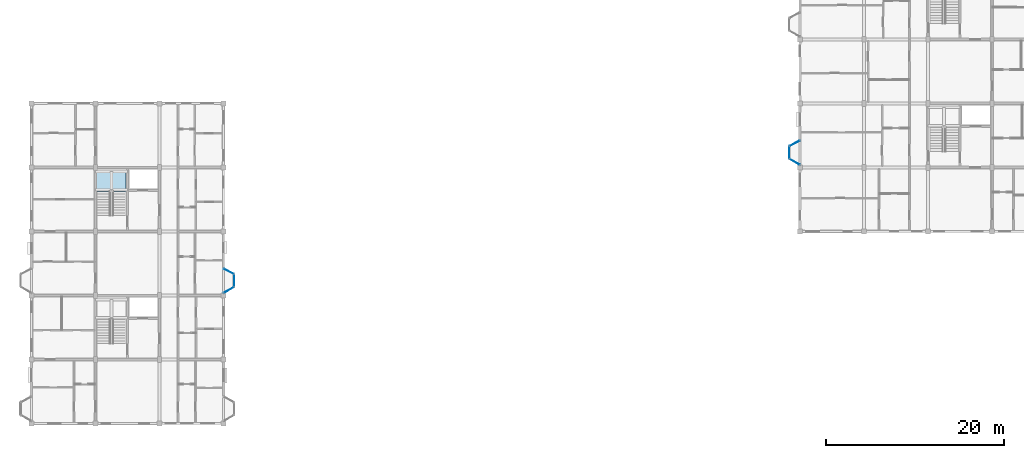
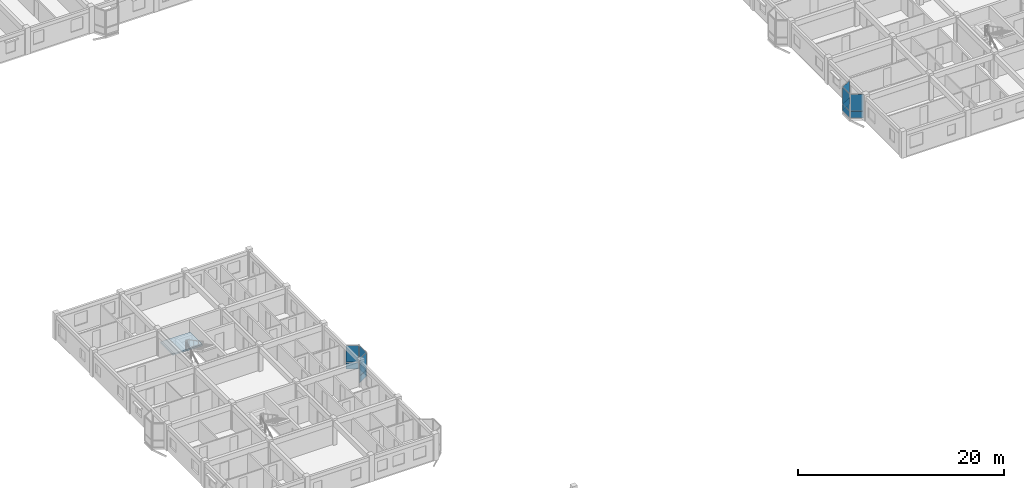
# One storey, part 47 of 77: 12 plates, 1 slab, 7 elements without a shape of their own.
"""IFC4 building model written with IfcOpenShell, lengths in metres."""

from ifc_helpers import new_model, si_unit, direction, frame, origin, origin_2d, place, context, subcontext, project, spatial, polyline, rectangle, outline, extrude, material, layer, layer_set, type_object, element, aggregate, save


model = new_model("IFC4")

# Units and contexts
model_context = context("Model", 3, precision=1e-05, world=origin(), true_north=direction((0.0, 1.0)))
body_context = subcontext(model_context, "Body", "Model", "MODEL_VIEW")
ifc_project = project(units=[si_unit("LENGTHUNIT", "METRE"), si_unit("AREAUNIT", "SQUARE_METRE"), si_unit("VOLUMEUNIT", "CUBIC_METRE"), si_unit("PLANEANGLEUNIT", "RADIAN"), si_unit("MASSUNIT", "GRAM", prefix="KILO"), si_unit("THERMODYNAMICTEMPERATUREUNIT", "KELVIN"), si_unit("POWERUNIT", "WATT")], contexts=[model_context])

# Site, building, storey
site_placement = place(None, origin())
site = spatial("IfcSite", under=ifc_project, at=site_placement, CompositionType="ELEMENT")
building_placement = place(site_placement, origin())
building = spatial("IfcBuilding", under=site, at=building_placement, Name="Tavuni Mirador Residences", CompositionType="ELEMENT")
storey_placement = place(building_placement, frame((0.0, 0.0, 10.800048828125)))
storey = spatial("IfcBuildingStorey", under=building, at=storey_placement, Name="L03", CompositionType="ELEMENT", Elevation=10.800048828125)

# Curtain wall, plate
ifc_material_1 = material(Name="Anodised aluminium", Category="aluminium")
ifc_layer_1 = layer(ifc_material_1, 0.1650390625, Name="Anodised aluminium", Category="aluminium")
ifc_layer_set_1 = layer_set([ifc_layer_1], Name="Anodised aluminium")
curtain_wall_type_1 = type_object("IfcCurtainWallType", Name="CWT-MIR-A", PredefinedType="NOTDEFINED", material=ifc_layer_set_1)
curtain_wall_1_placement = place(storey_placement, origin())
curtain_wall_1 = element("IfcCurtainWall", 1, at=curtain_wall_1_placement, inside=storey, type_object=curtain_wall_type_1, Name="CW-MIR-B-E2-L03-MF", PredefinedType="NOTDEFINED")
ifc_material_2 = material(Name="Laminated solar-control glass", Category="glass")
ifc_layer_2 = layer(ifc_material_2, 0.02392578125, Name="Laminated solar-control glass", Category="glass")
ifc_layer_set_2 = layer_set([ifc_layer_2], Name="Laminated solar-control glass")
plate_type_1 = type_object("IfcPlateType", Name="CWP-GL24", PredefinedType="CURTAIN_PANEL", material=ifc_layer_set_2)
plate_1_placement = place(storey_placement, frame((26.39990234375, 80.8701171875, 0.8798828125), z_axis=(0.0, 0.0, 1.0), x_axis=(0.0, 1.0, 0.0)))
plate_1 = element("IfcPlate", 2, at=plate_1_placement, type_object=plate_type_1, Name="CW-01 panel 1.2", PredefinedType="CURTAIN_PANEL", context=body_context, shape_type="SweptSolid", body=[
    extrude(rectangle(XDim=1.300048828125, YDim=0.02392578125, at=origin_2d()), origin(), (0.0, 0.0, 1.0), 1.969970703125),
])

curtain_wall_2_placement = place(storey_placement, origin())
curtain_wall_2 = element("IfcCurtainWall", 3, at=curtain_wall_2_placement, inside=storey, type_object=curtain_wall_type_1, Name="CW-MIR-D-W1-L03-MF", PredefinedType="NOTDEFINED")
plate_2_placement = place(storey_placement, frame((88.800048828125, 95.27001953125, 0.8798828125), z_axis=(0.0, 0.0, 1.0), x_axis=(0.0, -1.0, 0.0)))
plate_2 = element("IfcPlate", 4, at=plate_2_placement, type_object=plate_type_1, Name="CW-01 panel 1.2", PredefinedType="CURTAIN_PANEL", context=body_context, shape_type="SweptSolid", body=[
    extrude(rectangle(XDim=1.300048828125, YDim=0.02392578125, at=origin_2d()), origin(), (0.0, 0.0, 1.0), 1.949951171875),
])

ifc_layer_3 = layer(ifc_material_1, 0.14990234375, Name="Anodised aluminium", Category="aluminium")
ifc_layer_set_3 = layer_set([ifc_layer_3], Name="Anodised aluminium")
curtain_wall_type_2 = type_object("IfcCurtainWallType", Name="CWT-MIR-B", PredefinedType="NOTDEFINED", material=ifc_layer_set_3)
curtain_wall_3_placement = place(storey_placement, origin())
curtain_wall_3 = element("IfcCurtainWall", 5, at=curtain_wall_3_placement, inside=storey, type_object=curtain_wall_type_2, Name="CW-MIR-B-E2-L03-M2", PredefinedType="NOTDEFINED")
ifc_layer_4 = layer(ifc_material_2, 0.028076171875, Name="Laminated solar-control glass", Category="glass")
ifc_layer_set_4 = layer_set([ifc_layer_4], Name="Laminated solar-control glass")
plate_type_2 = type_object("IfcPlateType", Name="CWP-GL28", PredefinedType="CURTAIN_PANEL", material=ifc_layer_set_4)
plate_3_placement = place(storey_placement, frame((25.800048828125, 81.89990234375, 0.882568359375), z_axis=(0.0, 0.0, 1.0), x_axis=(-0.882352941175, 0.470588235296, 0.0)))
plate_3 = element("IfcPlate", 6, at=plate_3_placement, type_object=plate_type_2, Name="CW-02 panel 1.2", PredefinedType="CURTAIN_PANEL", context=body_context, shape_type="SweptSolid", body=[
    extrude(rectangle(XDim=1.22998046875, YDim=0.028076171875, at=origin_2d()), origin(), (0.0, 0.0, 1.0), 1.96240234375),
])

curtain_wall_4_placement = place(storey_placement, origin())
curtain_wall_4 = element("IfcCurtainWall", 7, at=curtain_wall_4_placement, inside=storey, type_object=curtain_wall_type_2, Name="CW-MIR-D-W1-L03-M2", PredefinedType="NOTDEFINED")
plate_4_placement = place(storey_placement, frame((89.39990234375, 94.217529296875, 0.882568359375), z_axis=(0.0, 0.0, 1.0), x_axis=(0.868465738194, -0.495749192217, 0.0)))
plate_4 = element("IfcPlate", 8, at=plate_4_placement, type_object=plate_type_2, Name="CW-02 panel 1.2", PredefinedType="CURTAIN_PANEL", context=body_context, shape_type="SweptSolid", body=[
    extrude(rectangle(XDim=1.251708984375, YDim=0.028076171875, at=origin_2d()), origin(), (0.0, 0.0, 1.0), 1.9423828125),
])

ifc_layer_5 = layer(ifc_material_1, 0.159912109375, Name="Anodised aluminium", Category="aluminium")
ifc_layer_set_5 = layer_set([ifc_layer_5], Name="Anodised aluminium")
curtain_wall_type_3 = type_object("IfcCurtainWallType", Name="CWT-MIR-D", PredefinedType="NOTDEFINED", material=ifc_layer_set_5)
curtain_wall_5_placement = place(storey_placement, origin())
curtain_wall_5 = element("IfcCurtainWall", 9, at=curtain_wall_5_placement, inside=storey, type_object=curtain_wall_type_3, Name="CW-MIR-B-E2-L03-M1", PredefinedType="NOTDEFINED")
ifc_layer_6 = layer(ifc_material_2, 0.035888671875, Name="Laminated solar-control glass", Category="glass")
ifc_layer_set_6 = layer_set([ifc_layer_6], Name="Laminated solar-control glass")
plate_type_3 = type_object("IfcPlateType", Name="CWP-GL36", PredefinedType="CURTAIN_PANEL", material=ifc_layer_set_6)
plate_5_placement = place(storey_placement, frame((25.800048828125, 79.8173828125, 0.882568359375), z_axis=(0.0, 0.0, 1.0), x_axis=(0.868465738194, 0.495749192217, 0.0)))
plate_5 = element("IfcPlate", 10, at=plate_5_placement, type_object=plate_type_3, Name="CW-04 panel 1.2", PredefinedType="CURTAIN_PANEL", context=body_context, shape_type="SweptSolid", body=[
    extrude(rectangle(XDim=1.251708984375, YDim=0.035888671875, at=origin_2d()), origin(), (0.0, 0.0, 1.0), 1.96240234375),
])

curtain_wall_6_placement = place(storey_placement, origin())
curtain_wall_6 = element("IfcCurtainWall", 11, at=curtain_wall_6_placement, inside=storey, type_object=curtain_wall_type_3, Name="CW-MIR-D-W1-L03-M1", PredefinedType="NOTDEFINED")
plate_6_placement = place(storey_placement, frame((89.39990234375, 96.300048828125, 0.882568359375), z_axis=(0.0, 0.0, 1.0), x_axis=(-0.882352941175, -0.470588235296, 0.0)))
plate_6 = element("IfcPlate", 12, at=plate_6_placement, type_object=plate_type_3, Name="CW-04 panel 1.2", PredefinedType="CURTAIN_PANEL", context=body_context, shape_type="SweptSolid", body=[
    extrude(rectangle(XDim=1.22998046875, YDim=0.035888671875, at=origin_2d()), origin(), (0.0, 0.0, 1.0), 1.9423828125),
])

# Plate
ifc_material_3 = material(Name="Ceramic trencadis mosaic panel", Category="masonry")
ifc_layer_7 = layer(ifc_material_3, 0.0419921875, Name="Ceramic trencadis mosaic panel", Category="masonry")
ifc_layer_set_7 = layer_set([ifc_layer_7], Name="Ceramic trencadis mosaic panel")
plate_type_4 = type_object("IfcPlateType", Name="CWP-SP42", PredefinedType="CURTAIN_PANEL", material=ifc_layer_set_7)
plate_7_placement = place(storey_placement, frame((26.39990234375, 80.8701171875, 0.06005859375), z_axis=(0.0, 0.0, 1.0), x_axis=(0.0, 1.0, 0.0)))
plate_7 = element("IfcPlate", 13, at=plate_7_placement, type_object=plate_type_4, Name="CW-01 panel 1.1", PredefinedType="CURTAIN_PANEL", context=body_context, shape_type="SweptSolid", body=[
    extrude(rectangle(XDim=1.300048828125, YDim=0.0419921875, at=origin_2d()), origin(), (0.0, 0.0, 1.0), 0.760009765625),
])

aggregate(curtain_wall_1, [plate_7, plate_1])

plate_8_placement = place(storey_placement, frame((88.800048828125, 95.27001953125, 0.06005859375), z_axis=(0.0, 0.0, 1.0), x_axis=(0.0, -1.0, 0.0)))
plate_8 = element("IfcPlate", 14, at=plate_8_placement, type_object=plate_type_4, Name="CW-01 panel 1.1", PredefinedType="CURTAIN_PANEL", context=body_context, shape_type="SweptSolid", body=[
    extrude(rectangle(XDim=1.300048828125, YDim=0.0419921875, at=origin_2d()), origin(), (0.0, 0.0, 1.0), 0.760009765625),
])

aggregate(curtain_wall_2, [plate_8, plate_2])

ifc_layer_8 = layer(ifc_material_3, 0.048095703125, Name="Ceramic trencadis mosaic panel", Category="masonry")
ifc_layer_set_8 = layer_set([ifc_layer_8], Name="Ceramic trencadis mosaic panel")
plate_type_5 = type_object("IfcPlateType", Name="CWP-SP48", PredefinedType="CURTAIN_PANEL", material=ifc_layer_set_8)
plate_9_placement = place(storey_placement, frame((25.800048828125, 79.8173828125, 0.06494140625), z_axis=(0.0, 0.0, 1.0), x_axis=(0.868465738194, 0.495749192217, 0.0)))
plate_9 = element("IfcPlate", 15, at=plate_9_placement, type_object=plate_type_5, Name="CW-04 panel 1.1", PredefinedType="CURTAIN_PANEL", context=body_context, shape_type="SweptSolid", body=[
    extrude(rectangle(XDim=1.251708984375, YDim=0.048095703125, at=origin_2d()), origin(), (0.0, 0.0, 1.0), 0.75244140625),
])

aggregate(curtain_wall_5, [plate_9, plate_5])

plate_10_placement = place(storey_placement, frame((25.800048828125, 81.89990234375, 0.06494140625), z_axis=(0.0, 0.0, 1.0), x_axis=(-0.882352941175, 0.470588235296, 0.0)))
plate_10 = element("IfcPlate", 16, at=plate_10_placement, type_object=plate_type_5, Name="CW-02 panel 1.1", PredefinedType="CURTAIN_PANEL", context=body_context, shape_type="SweptSolid", body=[
    extrude(rectangle(XDim=1.22998046875, YDim=0.048095703125, at=origin_2d()), origin(), (0.0, 0.0, 1.0), 0.75244140625),
])

aggregate(curtain_wall_3, [plate_10, plate_3])

plate_11_placement = place(storey_placement, frame((89.39990234375, 96.300048828125, 0.06494140625), z_axis=(0.0, 0.0, 1.0), x_axis=(-0.882352941175, -0.470588235296, 0.0)))
plate_11 = element("IfcPlate", 17, at=plate_11_placement, type_object=plate_type_5, Name="CW-04 panel 1.1", PredefinedType="CURTAIN_PANEL", context=body_context, shape_type="SweptSolid", body=[
    extrude(rectangle(XDim=1.22998046875, YDim=0.048095703125, at=origin_2d()), origin(), (0.0, 0.0, 1.0), 0.75244140625),
])

aggregate(curtain_wall_6, [plate_11, plate_6])

plate_12_placement = place(storey_placement, frame((89.39990234375, 94.217529296875, 0.06494140625), z_axis=(0.0, 0.0, 1.0), x_axis=(0.868465738194, -0.495749192217, 0.0)))
plate_12 = element("IfcPlate", 18, at=plate_12_placement, type_object=plate_type_5, Name="CW-02 panel 1.1", PredefinedType="CURTAIN_PANEL", context=body_context, shape_type="SweptSolid", body=[
    extrude(rectangle(XDim=1.251708984375, YDim=0.048095703125, at=origin_2d()), origin(), (0.0, 0.0, 1.0), 0.75244140625),
])

aggregate(curtain_wall_4, [plate_12, plate_4])

# Stair, slab
ifc_material_4 = material(Name="Precast concrete C40/50", Category="concrete")
stair_type = type_object("IfcStairType", Name="STT-TYP", PredefinedType="HALF_TURN_STAIR", material=ifc_material_4)
stair_placement = place(storey_placement, origin())
stair = element("IfcStair", 19, at=stair_placement, inside=storey, type_object=stair_type, Name="Protected exit stair ST4 (L03)", PredefinedType="HALF_TURN_STAIR")
ifc_layer_9 = layer(ifc_material_4, 0.179931640625, Name="Precast concrete C40/50", Category="concrete")
ifc_layer_set_9 = layer_set([ifc_layer_9], Name="Precast concrete C40/50")
slab_type = type_object("IfcSlabType", Name="SLT-LND180", PredefinedType="LANDING", material=ifc_layer_set_9)
slab_placement = place(storey_placement, frame((0.0, 0.0, 1.39501953125)))
slab = element("IfcSlab", 20, at=slab_placement, type_object=slab_type, Name="ST4 landing 1", PredefinedType="LANDING", context=body_context, shape_type="SweptSolid", body=[
    extrude(outline(polyline([(10.93994140625, 90.89208984375), (14.260009765625, 90.89208984375), (14.260009765625, 93.300048828125), (10.93994140625, 93.300048828125), (10.93994140625, 90.89208984375)])), origin(), (0.0, 0.0, 1.0), 0.179931640625),
])
aggregate(stair, [slab])

save(model, "model.ifc")
